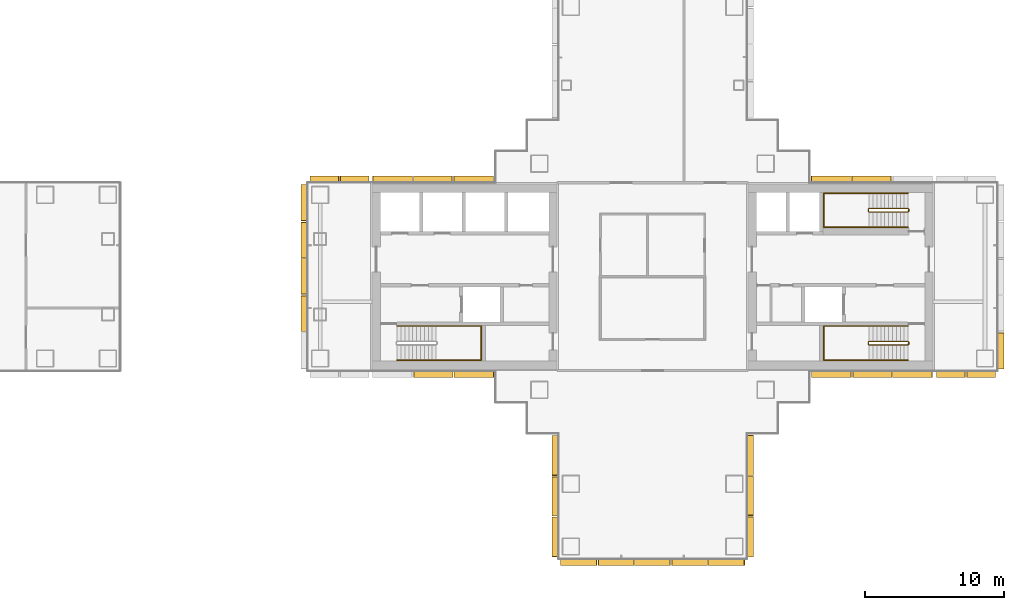
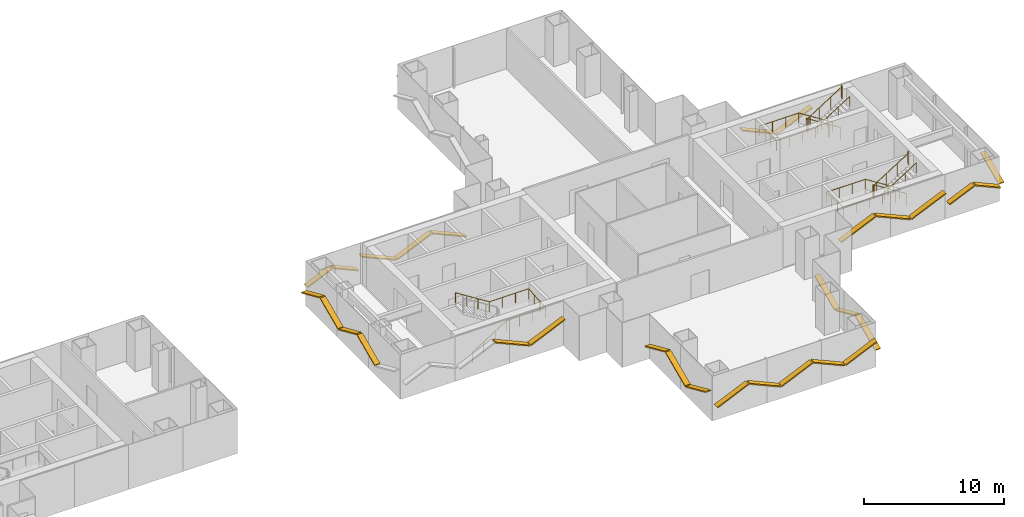
# One storey, part 17 of 19: 30 shading devices, 5 railings.
"""IFC4 building model written with IfcOpenShell, lengths in metres."""

from ifc_helpers import new_model, si_unit, direction, frame, origin, origin_2d, place, context, subcontext, project, spatial, rectangle, circle, extrude, material, material_profile, profile_set, type_object, element, save


model = new_model("IFC4")

# Units and contexts
model_context = context("Model", 3, precision=1e-05, world=origin(), true_north=direction((0.0, 1.0)))
body_context = subcontext(model_context, "Body", "Model", "MODEL_VIEW")
ifc_project = project(units=[si_unit("LENGTHUNIT", "METRE"), si_unit("AREAUNIT", "SQUARE_METRE"), si_unit("VOLUMEUNIT", "CUBIC_METRE"), si_unit("PLANEANGLEUNIT", "RADIAN"), si_unit("MASSUNIT", "GRAM", prefix="KILO")], contexts=[model_context])

# Site, building, storey
site_placement = place(None, origin())
site = spatial("IfcSite", under=ifc_project, at=site_placement, CompositionType="ELEMENT")
building_placement = place(site_placement, origin())
building = spatial("IfcBuilding", under=site, at=building_placement, Name="Shamsa Quay Exchange Towers", CompositionType="ELEMENT")
storey_placement = place(building_placement, frame((0.0, 0.0, 85.800048828125)))
storey = spatial("IfcBuildingStorey", under=building, at=storey_placement, Name="L19", CompositionType="ELEMENT", Elevation=85.800048828125)

# Shading devices
ifc_material_1 = material(Name="Aluminium EN AW-6063 T6, black anodised", Category="aluminium")
ifc_material_profile = material_profile(ifc_material_1, rectangle(XDim=0.449951171875, YDim=0.10009765625, at=origin_2d()), Name="FIN450x100")
ifc_profile_set = profile_set([ifc_material_profile], Name="Aluminium EN AW-6063 T6, black anodised")
shading_device_type = type_object("IfcShadingDeviceType", Name="FIN 450x100 BLACK ALUMINIUM", PredefinedType="USERDEFINED", material=ifc_profile_set)
shading_device_1_placement = place(storey_placement, frame((45.18798828125, -7.01904296875, 0.96826171875), z_axis=(0.913529328323, 0.0, 0.406772868187), x_axis=(0.0, 1.0, 0.0)))
element("IfcShadingDevice", 1, at=shading_device_1_placement, inside=storey, type_object=shading_device_type, Name="FIN T2 chevron rib", ObjectType="FIN", PredefinedType="USERDEFINED", context=body_context, shape_type="SweptSolid", body=[
    extrude(rectangle(XDim=0.449951171875, YDim=0.10009765625, at=origin_2d()), origin(), (0.0, 0.0, 1.0), 3.10595703125),
])
shading_device_2_placement = place(storey_placement, frame((48.125244140625, -7.01904296875, 2.220458984375), z_axis=(0.913550687431, 0.0, -0.406724896576), x_axis=(0.0, 1.0, 0.0)))
element("IfcShadingDevice", 2, at=shading_device_2_placement, inside=storey, type_object=shading_device_type, Name="FIN T2 chevron rib", ObjectType="FIN", PredefinedType="USERDEFINED", context=body_context, shape_type="SweptSolid", body=[
    extrude(rectangle(XDim=0.449951171875, YDim=0.10009765625, at=origin_2d()), origin(), (0.0, 0.0, 1.0), 3.051025390625),
])
shading_device_3_placement = place(storey_placement, frame((51.0126953125, -7.01904296875, 0.96826171875), z_axis=(0.913529328323, 0.0, 0.406772868187), x_axis=(0.0, 1.0, 0.0)))
element("IfcShadingDevice", 3, at=shading_device_3_placement, inside=storey, type_object=shading_device_type, Name="FIN T2 chevron rib", ObjectType="FIN", PredefinedType="USERDEFINED", context=body_context, shape_type="SweptSolid", body=[
    extrude(rectangle(XDim=0.449951171875, YDim=0.10009765625, at=origin_2d()), origin(), (0.0, 0.0, 1.0), 3.10595703125),
])
for number, where, z_axis, x_axis, name in (
    (4, (54.14990234375, -7.014892578125, 1.1435546875), (0.913528691757, 0.0, 0.406774297783), (0.0, 1.0, 0.0), "FIN T2 chevron rib"),
    (5, (56.300048828125, -7.014892578125, 2.056396484375), (0.913528691757, 0.0, -0.406774297783), (0.0, 1.0, 0.0), "FIN T2 chevron rib"),
):
    element("IfcShadingDevice", number, at=place(storey_placement, frame(where, z_axis=z_axis, x_axis=x_axis)), inside=storey, type_object=shading_device_type, Name=name, ObjectType="FIN", PredefinedType="USERDEFINED", context=body_context, shape_type="SweptSolid", body=[
        extrude(rectangle(XDim=0.449951171875, YDim=0.10009765625, at=origin_2d()), origin(), (0.0, 0.0, 1.0), 2.244140625),
    ])
shading_device_4_placement = place(storey_placement, frame((58.764892578125, -6.60009765625, 1.0234375), z_axis=(0.0, 0.91355925163, 0.406705659859), x_axis=(-1.0, 0.0, 0.0)))
element("IfcShadingDevice", 6, at=shading_device_4_placement, inside=storey, type_object=shading_device_type, Name="FIN T2 chevron rib", ObjectType="FIN", PredefinedType="USERDEFINED", context=body_context, shape_type="SweptSolid", body=[
    extrude(rectangle(XDim=0.449951171875, YDim=0.10009765625, at=origin_2d()), origin(), (0.0, 0.0, 1.0), 2.835205078125),
])
shading_device_5_placement = place(storey_placement, frame((50.89990234375, 7.01904296875, 2.223388671875), z_axis=(-0.913512380128, 0.0, -0.406810928262), x_axis=(0.0, -1.0, 0.0)))
element("IfcShadingDevice", 7, at=shading_device_5_placement, inside=storey, type_object=shading_device_type, Name="FIN T2 chevron rib", ObjectType="FIN", PredefinedType="USERDEFINED", context=body_context, shape_type="SweptSolid", body=[
    extrude(rectangle(XDim=0.449951171875, YDim=0.10009765625, at=origin_2d()), origin(), (0.0, 0.0, 1.0), 3.06494140625),
])
shading_device_6_placement = place(storey_placement, frame((48.0, 7.01904296875, 0.965576171875), z_axis=(-0.913562893981, 0.0, 0.406697478158), x_axis=(0.0, -1.0, 0.0)))
element("IfcShadingDevice", 8, at=shading_device_6_placement, inside=storey, type_object=shading_device_type, Name="FIN T2 chevron rib", ObjectType="FIN", PredefinedType="USERDEFINED", context=body_context, shape_type="SweptSolid", body=[
    extrude(rectangle(XDim=0.449951171875, YDim=0.10009765625, at=origin_2d()), origin(), (0.0, 0.0, 1.0), 3.119873046875),
])
shading_device_7_placement = place(storey_placement, frame((22.31201171875, 7.01904296875, 0.96826171875), z_axis=(-0.913529328323, 0.0, 0.406772868187), x_axis=(0.0, -1.0, 0.0)))
element("IfcShadingDevice", 9, at=shading_device_7_placement, inside=storey, type_object=shading_device_type, Name="FIN T2 chevron rib", ObjectType="FIN", PredefinedType="USERDEFINED", context=body_context, shape_type="SweptSolid", body=[
    extrude(rectangle(XDim=0.449951171875, YDim=0.10009765625, at=origin_2d()), origin(), (0.0, 0.0, 1.0), 3.10595703125),
])
shading_device_8_placement = place(storey_placement, frame((19.374755859375, 7.01904296875, 2.220458984375), z_axis=(-0.913550687431, 0.0, -0.406724896576), x_axis=(0.0, -1.0, 0.0)))
element("IfcShadingDevice", 10, at=shading_device_8_placement, inside=storey, type_object=shading_device_type, Name="FIN T2 chevron rib", ObjectType="FIN", PredefinedType="USERDEFINED", context=body_context, shape_type="SweptSolid", body=[
    extrude(rectangle(XDim=0.449951171875, YDim=0.10009765625, at=origin_2d()), origin(), (0.0, 0.0, 1.0), 3.051025390625),
])
shading_device_9_placement = place(storey_placement, frame((16.4873046875, 7.01904296875, 0.96826171875), z_axis=(-0.913529328323, 0.0, 0.406772868187), x_axis=(0.0, -1.0, 0.0)))
element("IfcShadingDevice", 11, at=shading_device_9_placement, inside=storey, type_object=shading_device_type, Name="FIN T2 chevron rib", ObjectType="FIN", PredefinedType="USERDEFINED", context=body_context, shape_type="SweptSolid", body=[
    extrude(rectangle(XDim=0.449951171875, YDim=0.10009765625, at=origin_2d()), origin(), (0.0, 0.0, 1.0), 3.10595703125),
])
for number, where, z_axis, x_axis, name in (
    (12, (13.35009765625, 7.014892578125, 1.1435546875), (-0.913528691757, 0.0, 0.406774297783), (0.0, -1.0, 0.0), "FIN T2 chevron rib"),
    (13, (11.199951171875, 7.014892578125, 2.056396484375), (-0.913528691757, 0.0, -0.406774297783), (0.0, -1.0, 0.0), "FIN T2 chevron rib"),
):
    element("IfcShadingDevice", number, at=place(storey_placement, frame(where, z_axis=z_axis, x_axis=x_axis)), inside=storey, type_object=shading_device_type, Name=name, ObjectType="FIN", PredefinedType="USERDEFINED", context=body_context, shape_type="SweptSolid", body=[
        extrude(rectangle(XDim=0.449951171875, YDim=0.10009765625, at=origin_2d()), origin(), (0.0, 0.0, 1.0), 2.244140625),
    ])
shading_device_10_placement = place(storey_placement, frame((8.735107421875, 6.60009765625, 1.0234375), z_axis=(0.0, -0.91355925163, 0.406705659859), x_axis=(1.0, 0.0, 0.0)))
element("IfcShadingDevice", 14, at=shading_device_10_placement, inside=storey, type_object=shading_device_type, Name="FIN T2 chevron rib", ObjectType="FIN", PredefinedType="USERDEFINED", context=body_context, shape_type="SweptSolid", body=[
    extrude(rectangle(XDim=0.449951171875, YDim=0.10009765625, at=origin_2d()), origin(), (0.0, 0.0, 1.0), 2.835205078125),
])
shading_device_11_placement = place(storey_placement, frame((8.735107421875, 3.909912109375, 2.165283203125), z_axis=(0.0, -0.913536125794, -0.406757602103), x_axis=(1.0, 0.0, 0.0)))
element("IfcShadingDevice", 15, at=shading_device_11_placement, inside=storey, type_object=shading_device_type, Name="FIN T2 chevron rib", ObjectType="FIN", PredefinedType="USERDEFINED", context=body_context, shape_type="SweptSolid", body=[
    extrude(rectangle(XDim=0.449951171875, YDim=0.10009765625, at=origin_2d()), origin(), (0.0, 0.0, 1.0), 2.7802734375),
])
shading_device_12_placement = place(storey_placement, frame((8.735107421875, 1.27001953125, 1.034423828125), z_axis=(0.0, -0.913550653139, 0.4067249736), x_axis=(1.0, 0.0, 0.0)))
element("IfcShadingDevice", 16, at=shading_device_12_placement, inside=storey, type_object=shading_device_type, Name="FIN T2 chevron rib", ObjectType="FIN", PredefinedType="USERDEFINED", context=body_context, shape_type="SweptSolid", body=[
    extrude(rectangle(XDim=0.449951171875, YDim=0.10009765625, at=origin_2d()), origin(), (0.0, 0.0, 1.0), 2.780517578125),
])
shading_device_13_placement = place(storey_placement, frame((8.735107421875, -1.3701171875, 2.165283203125), z_axis=(0.0, -0.913536125794, -0.406757602103), x_axis=(1.0, 0.0, 0.0)))
element("IfcShadingDevice", 17, at=shading_device_13_placement, inside=storey, type_object=shading_device_type, Name="FIN T2 chevron rib", ObjectType="FIN", PredefinedType="USERDEFINED", context=body_context, shape_type="SweptSolid", body=[
    extrude(rectangle(XDim=0.449951171875, YDim=0.10009765625, at=origin_2d()), origin(), (0.0, 0.0, 1.0), 2.7802734375),
])
shading_device_14_placement = place(storey_placement, frame((16.60009765625, -7.01904296875, 2.223388671875), z_axis=(0.913512380128, 0.0, -0.406810928262), x_axis=(0.0, 1.0, 0.0)))
element("IfcShadingDevice", 18, at=shading_device_14_placement, inside=storey, type_object=shading_device_type, Name="FIN T2 chevron rib", ObjectType="FIN", PredefinedType="USERDEFINED", context=body_context, shape_type="SweptSolid", body=[
    extrude(rectangle(XDim=0.449951171875, YDim=0.10009765625, at=origin_2d()), origin(), (0.0, 0.0, 1.0), 3.06494140625),
])
shading_device_15_placement = place(storey_placement, frame((19.5, -7.01904296875, 0.965576171875), z_axis=(0.913562893981, 0.0, 0.406697478158), x_axis=(0.0, 1.0, 0.0)))
element("IfcShadingDevice", 19, at=shading_device_15_placement, inside=storey, type_object=shading_device_type, Name="FIN T2 chevron rib", ObjectType="FIN", PredefinedType="USERDEFINED", context=body_context, shape_type="SweptSolid", body=[
    extrude(rectangle(XDim=0.449951171875, YDim=0.10009765625, at=origin_2d()), origin(), (0.0, 0.0, 1.0), 3.119873046875),
])
shading_device_16_placement = place(storey_placement, frame((26.735107421875, -11.43798828125, 0.96826171875), z_axis=(0.0, -0.913529328323, 0.406772868187), x_axis=(1.0, 0.0, 0.0)))
element("IfcShadingDevice", 20, at=shading_device_16_placement, inside=storey, type_object=shading_device_type, Name="FIN T2 chevron rib", ObjectType="FIN", PredefinedType="USERDEFINED", context=body_context, shape_type="SweptSolid", body=[
    extrude(rectangle(XDim=0.449951171875, YDim=0.10009765625, at=origin_2d()), origin(), (0.0, 0.0, 1.0), 3.10595703125),
])
shading_device_17_placement = place(storey_placement, frame((26.735107421875, -14.375244140625, 2.220458984375), z_axis=(0.0, -0.913550687431, -0.406724896576), x_axis=(1.0, 0.0, 0.0)))
element("IfcShadingDevice", 21, at=shading_device_17_placement, inside=storey, type_object=shading_device_type, Name="FIN T2 chevron rib", ObjectType="FIN", PredefinedType="USERDEFINED", context=body_context, shape_type="SweptSolid", body=[
    extrude(rectangle(XDim=0.449951171875, YDim=0.10009765625, at=origin_2d()), origin(), (0.0, 0.0, 1.0), 3.051025390625),
])
shading_device_18_placement = place(storey_placement, frame((26.735107421875, -17.2626953125, 0.96826171875), z_axis=(0.0, -0.913529328323, 0.406772868187), x_axis=(1.0, 0.0, 0.0)))
element("IfcShadingDevice", 22, at=shading_device_18_placement, inside=storey, type_object=shading_device_type, Name="FIN T2 chevron rib", ObjectType="FIN", PredefinedType="USERDEFINED", context=body_context, shape_type="SweptSolid", body=[
    extrude(rectangle(XDim=0.449951171875, YDim=0.10009765625, at=origin_2d()), origin(), (0.0, 0.0, 1.0), 3.10595703125),
])
shading_device_19_placement = place(storey_placement, frame((27.14990234375, -20.514892578125, 1.0234375), z_axis=(0.91355925163, 0.0, 0.406705659859), x_axis=(0.0, 1.0, 0.0)))
element("IfcShadingDevice", 23, at=shading_device_19_placement, inside=storey, type_object=shading_device_type, Name="FIN T2 chevron rib", ObjectType="FIN", PredefinedType="USERDEFINED", context=body_context, shape_type="SweptSolid", body=[
    extrude(rectangle(XDim=0.449951171875, YDim=0.10009765625, at=origin_2d()), origin(), (0.0, 0.0, 1.0), 2.835205078125),
])
shading_device_20_placement = place(storey_placement, frame((29.840087890625, -20.514892578125, 2.165283203125), z_axis=(0.913536125794, 0.0, -0.406757602103), x_axis=(0.0, 1.0, 0.0)))
element("IfcShadingDevice", 24, at=shading_device_20_placement, inside=storey, type_object=shading_device_type, Name="FIN T2 chevron rib", ObjectType="FIN", PredefinedType="USERDEFINED", context=body_context, shape_type="SweptSolid", body=[
    extrude(rectangle(XDim=0.449951171875, YDim=0.10009765625, at=origin_2d()), origin(), (0.0, 0.0, 1.0), 2.7802734375),
])
shading_device_21_placement = place(storey_placement, frame((32.47998046875, -20.514892578125, 1.034423828125), z_axis=(0.913550653139, 0.0, 0.4067249736), x_axis=(0.0, 1.0, 0.0)))
element("IfcShadingDevice", 25, at=shading_device_21_placement, inside=storey, type_object=shading_device_type, Name="FIN T2 chevron rib", ObjectType="FIN", PredefinedType="USERDEFINED", context=body_context, shape_type="SweptSolid", body=[
    extrude(rectangle(XDim=0.449951171875, YDim=0.10009765625, at=origin_2d()), origin(), (0.0, 0.0, 1.0), 2.780517578125),
])
shading_device_22_placement = place(storey_placement, frame((35.1201171875, -20.514892578125, 2.165283203125), z_axis=(0.913536125794, 0.0, -0.406757602103), x_axis=(0.0, 1.0, 0.0)))
element("IfcShadingDevice", 26, at=shading_device_22_placement, inside=storey, type_object=shading_device_type, Name="FIN T2 chevron rib", ObjectType="FIN", PredefinedType="USERDEFINED", context=body_context, shape_type="SweptSolid", body=[
    extrude(rectangle(XDim=0.449951171875, YDim=0.10009765625, at=origin_2d()), origin(), (0.0, 0.0, 1.0), 2.7802734375),
])
shading_device_23_placement = place(storey_placement, frame((37.760009765625, -20.514892578125, 1.0234375), z_axis=(0.91355925163, 0.0, 0.406705659859), x_axis=(0.0, 1.0, 0.0)))
element("IfcShadingDevice", 27, at=shading_device_23_placement, inside=storey, type_object=shading_device_type, Name="FIN T2 chevron rib", ObjectType="FIN", PredefinedType="USERDEFINED", context=body_context, shape_type="SweptSolid", body=[
    extrude(rectangle(XDim=0.449951171875, YDim=0.10009765625, at=origin_2d()), origin(), (0.0, 0.0, 1.0), 2.835205078125),
])
shading_device_24_placement = place(storey_placement, frame((40.764892578125, -20.10009765625, 0.965576171875), z_axis=(0.0, 0.913562893981, 0.406697478158), x_axis=(-1.0, 0.0, 0.0)))
element("IfcShadingDevice", 28, at=shading_device_24_placement, inside=storey, type_object=shading_device_type, Name="FIN T2 chevron rib", ObjectType="FIN", PredefinedType="USERDEFINED", context=body_context, shape_type="SweptSolid", body=[
    extrude(rectangle(XDim=0.449951171875, YDim=0.10009765625, at=origin_2d()), origin(), (0.0, 0.0, 1.0), 3.119873046875),
])
shading_device_25_placement = place(storey_placement, frame((40.764892578125, -17.14990234375, 2.223388671875), z_axis=(0.0, 0.913512380128, -0.406810928262), x_axis=(-1.0, 0.0, 0.0)))
element("IfcShadingDevice", 29, at=shading_device_25_placement, inside=storey, type_object=shading_device_type, Name="FIN T2 chevron rib", ObjectType="FIN", PredefinedType="USERDEFINED", context=body_context, shape_type="SweptSolid", body=[
    extrude(rectangle(XDim=0.449951171875, YDim=0.10009765625, at=origin_2d()), origin(), (0.0, 0.0, 1.0), 3.06494140625),
])
shading_device_26_placement = place(storey_placement, frame((40.764892578125, -14.25, 0.965576171875), z_axis=(0.0, 0.913562893981, 0.406697478158), x_axis=(-1.0, 0.0, 0.0)))
element("IfcShadingDevice", 30, at=shading_device_26_placement, inside=storey, type_object=shading_device_type, Name="FIN T2 chevron rib", ObjectType="FIN", PredefinedType="USERDEFINED", context=body_context, shape_type="SweptSolid", body=[
    extrude(rectangle(XDim=0.449951171875, YDim=0.10009765625, at=origin_2d()), origin(), (0.0, 0.0, 1.0), 3.119873046875),
])

# Railings
ifc_material_2 = material(Name="Stainless steel", Category="steel")
railing_type_1 = type_object("IfcRailingType", Name="STAIR GUARD 1100", PredefinedType="GUARDRAIL", material=ifc_material_2)
railing_1_placement = place(storey_placement, frame((52.10009765625, -4.64990234375, 0.17724609375)))
element("IfcRailing", 31, at=railing_1_placement, inside=storey, type_object=railing_type_1, Name="L19 ST5 stair guard 1", PredefinedType="GUARDRAIL", context=body_context, shape_type="SweptSolid", body=[
    extrude(circle(Radius=0.02392578125, at=origin_2d()), frame((0.0, 0.0, 1.076171875), z_axis=(-0.844908973607, 0.0, 0.534910110503), x_axis=(0.0, -1.0, 0.0)), (0.0, 0.0, 1.0), 3.31396484375),
    extrude(circle(Radius=0.02392578125, at=origin_2d()), frame((-2.800048828125, 0.0, 2.8486328125), z_axis=(-0.707106781187, -0.707106781187, 0.0), x_axis=(0.707106781187, -0.707106781187, 0.0)), (0.0, 0.0, 1.0), 0.07080078125),
    extrude(circle(Radius=0.02392578125, at=origin_2d()), frame((-2.85009765625, -0.050048828125, 2.8486328125), z_axis=(0.0, -1.0, 0.0), x_axis=(1.0, 0.0, 0.0)), (0.0, 0.0, 1.0), 0.150146484375),
    extrude(circle(Radius=0.02392578125, at=origin_2d()), frame((-2.85009765625, -0.2001953125, 2.8486328125), z_axis=(0.262321481514, -0.261041864531, 0.929001929653), x_axis=(0.705375805398, 0.708833529934, 0.0)), (0.0, 0.0, 1.0), 0.190673828125),
    extrude(circle(Radius=0.02392578125, at=origin_2d()), frame((-2.800048828125, -0.25, 3.02587890625), z_axis=(0.844908973607, 0.0, 0.534910110503), x_axis=(0.0, 1.0, 0.0)), (0.0, 0.0, 1.0), 3.31396484375),
    extrude(circle(Radius=0.02392578125, at=origin_2d()), frame((0.0, -0.25, 4.798828125), z_axis=(0.241699205484, 0.970351222016, 0.0), x_axis=(-0.970351222016, 0.241699205484, 0.0)), (0.0, 0.0, 1.0), 0.2060546875),
    extrude(circle(Radius=0.02392578125, at=origin_2d()), frame((0.0498046875, -0.050048828125, 4.798828125), z_axis=(0.0, -1.0, 0.0), x_axis=(1.0, 0.0, 0.0)), (0.0, 0.0, 1.0), 0.150146484375),
    extrude(circle(Radius=0.02099609375, at=origin_2d()), origin(), (0.0, 0.0, 1.0), 1.052001953125),
    extrude(circle(Radius=0.02099609375, at=origin_2d()), frame((-0.933349609375, 0.0, 0.5908203125)), (0.0, 0.0, 1.0), 1.052001953125),
    extrude(circle(Radius=0.02099609375, at=origin_2d()), frame((-1.86669921875, 0.0, 1.181884765625)), (0.0, 0.0, 1.0), 1.052001953125),
    extrude(circle(Radius=0.02099609375, at=origin_2d()), frame((-2.800048828125, 0.0, 1.772705078125)), (0.0, 0.0, 1.0), 1.052001953125),
    extrude(circle(Radius=0.02099609375, at=origin_2d()), frame((-2.85009765625, -0.050048828125, 1.772705078125)), (0.0, 0.0, 1.0), 1.052001953125),
    extrude(circle(Radius=0.02099609375, at=origin_2d()), frame((-2.85009765625, -0.2001953125, 1.772705078125)), (0.0, 0.0, 1.0), 1.052001953125),
    extrude(circle(Radius=0.02099609375, at=origin_2d()), frame((-2.800048828125, -0.25, 1.949951171875)), (0.0, 0.0, 1.0), 1.052001953125),
    extrude(circle(Radius=0.02099609375, at=origin_2d()), frame((-1.86669921875, -0.25, 2.540771484375)), (0.0, 0.0, 1.0), 1.052001953125),
    extrude(circle(Radius=0.02099609375, at=origin_2d()), frame((-0.933349609375, -0.25, 3.1318359375)), (0.0, 0.0, 1.0), 1.052001953125),
    extrude(circle(Radius=0.02099609375, at=origin_2d()), frame((0.0, -0.25, 3.72265625)), (0.0, 0.0, 1.0), 1.052001953125),
    extrude(circle(Radius=0.02099609375, at=origin_2d()), frame((0.0498046875, -0.050048828125, 3.72265625)), (0.0, 0.0, 1.0), 1.052001953125),
    extrude(circle(Radius=0.02099609375, at=origin_2d()), frame((0.0498046875, -0.2001953125, 3.72265625)), (0.0, 0.0, 1.0), 1.052001953125),
])
railing_2_placement = place(storey_placement, frame((52.10009765625, 4.89990234375, 0.17724609375)))
element("IfcRailing", 32, at=railing_2_placement, inside=storey, type_object=railing_type_1, Name="L19 ST6 stair guard 1", PredefinedType="GUARDRAIL", context=body_context, shape_type="SweptSolid", body=[
    extrude(circle(Radius=0.02392578125, at=origin_2d()), frame((0.0, 0.0, 1.076171875), z_axis=(-0.844908973607, 0.0, 0.534910110503), x_axis=(0.0, -1.0, 0.0)), (0.0, 0.0, 1.0), 3.31396484375),
    extrude(circle(Radius=0.02392578125, at=origin_2d()), frame((-2.800048828125, 0.0, 2.8486328125), z_axis=(-0.708833529934, -0.705375805398, 0.0), x_axis=(0.705375805398, -0.708833529934, 0.0)), (0.0, 0.0, 1.0), 0.070556640625),
    extrude(circle(Radius=0.02392578125, at=origin_2d()), frame((-2.85009765625, -0.0498046875, 2.8486328125), z_axis=(0.0, -1.0, 0.0), x_axis=(1.0, 0.0, 0.0)), (0.0, 0.0, 1.0), 0.150146484375),
    extrude(circle(Radius=0.02392578125, at=origin_2d()), frame((-2.85009765625, -0.199951171875, 2.8486328125), z_axis=(0.262233686654, -0.262233686654, 0.928691007369), x_axis=(0.707106781187, 0.707106781187, 0.0)), (0.0, 0.0, 1.0), 0.19091796875),
    extrude(circle(Radius=0.02392578125, at=origin_2d()), frame((-2.800048828125, -0.25, 3.02587890625), z_axis=(0.844908973607, 0.0, 0.534910110503), x_axis=(0.0, 1.0, 0.0)), (0.0, 0.0, 1.0), 3.31396484375),
    extrude(circle(Radius=0.02392578125, at=origin_2d()), frame((0.0, -0.25, 4.798828125), z_axis=(0.24142163986, 0.970420317083, 0.0), x_axis=(-0.970420317083, 0.24142163986, 0.0)), (0.0, 0.0, 1.0), 0.206298828125),
    extrude(circle(Radius=0.02392578125, at=origin_2d()), frame((0.0498046875, -0.0498046875, 4.798828125), z_axis=(0.0, -1.0, 0.0), x_axis=(1.0, 0.0, 0.0)), (0.0, 0.0, 1.0), 0.150146484375),
    extrude(circle(Radius=0.02099609375, at=origin_2d()), origin(), (0.0, 0.0, 1.0), 1.052001953125),
    extrude(circle(Radius=0.02099609375, at=origin_2d()), frame((-0.933349609375, 0.0, 0.5908203125)), (0.0, 0.0, 1.0), 1.052001953125),
    extrude(circle(Radius=0.02099609375, at=origin_2d()), frame((-1.86669921875, 0.0, 1.181884765625)), (0.0, 0.0, 1.0), 1.052001953125),
    extrude(circle(Radius=0.02099609375, at=origin_2d()), frame((-2.800048828125, 0.0, 1.772705078125)), (0.0, 0.0, 1.0), 1.052001953125),
    extrude(circle(Radius=0.02099609375, at=origin_2d()), frame((-2.85009765625, -0.0498046875, 1.772705078125)), (0.0, 0.0, 1.0), 1.052001953125),
    extrude(circle(Radius=0.02099609375, at=origin_2d()), frame((-2.85009765625, -0.199951171875, 1.772705078125)), (0.0, 0.0, 1.0), 1.052001953125),
    extrude(circle(Radius=0.02099609375, at=origin_2d()), frame((-2.800048828125, -0.25, 1.949951171875)), (0.0, 0.0, 1.0), 1.052001953125),
    extrude(circle(Radius=0.02099609375, at=origin_2d()), frame((-1.86669921875, -0.25, 2.540771484375)), (0.0, 0.0, 1.0), 1.052001953125),
    extrude(circle(Radius=0.02099609375, at=origin_2d()), frame((-0.933349609375, -0.25, 3.1318359375)), (0.0, 0.0, 1.0), 1.052001953125),
    extrude(circle(Radius=0.02099609375, at=origin_2d()), frame((0.0, -0.25, 3.72265625)), (0.0, 0.0, 1.0), 1.052001953125),
    extrude(circle(Radius=0.02099609375, at=origin_2d()), frame((0.0498046875, -0.0498046875, 3.72265625)), (0.0, 0.0, 1.0), 1.052001953125),
    extrude(circle(Radius=0.02099609375, at=origin_2d()), frame((0.0498046875, -0.199951171875, 3.72265625)), (0.0, 0.0, 1.0), 1.052001953125),
])
railing_type_2 = type_object("IfcRailingType", Name="STAIR HANDRAIL 900", PredefinedType="HANDRAIL", material=ifc_material_2)
railing_3_placement = place(storey_placement, frame((15.39990234375, -6.0, 0.17724609375)))
element("IfcRailing", 33, at=railing_3_placement, inside=storey, type_object=railing_type_2, Name="L19 ST4 stair handrail 1", PredefinedType="HANDRAIL", context=body_context, shape_type="SweptSolid", body=[
    extrude(circle(Radius=0.02392578125, at=origin_2d()), frame((0.0, 0.0, 0.8759765625), z_axis=(0.844908973607, 0.0, 0.534910110503), x_axis=(0.0, 1.0, 0.0)), (0.0, 0.0, 1.0), 3.31396484375),
    extrude(circle(Radius=0.02392578125, at=origin_2d()), frame((2.800048828125, 0.0, 2.6484375), z_axis=(1.0, 0.0, 0.0), x_axis=(0.0, 1.0, 0.0)), (0.0, 0.0, 1.0), 3.25),
    extrude(circle(Radius=0.02392578125, at=origin_2d()), frame((6.050048828125, 0.0, 2.6484375), z_axis=(0.0, 0.997393199914, 0.07215819264), x_axis=(-1.0, 0.0, 0.0)), (0.0, 0.0, 1.0), 2.456298828125),
    extrude(circle(Radius=0.02392578125, at=origin_2d()), frame((6.050048828125, 2.449951171875, 2.82568359375), z_axis=(-1.0, 0.0, 0.0), x_axis=(0.0, -1.0, 0.0)), (0.0, 0.0, 1.0), 3.25),
    extrude(circle(Radius=0.02392578125, at=origin_2d()), frame((2.800048828125, 2.449951171875, 2.82568359375), z_axis=(-0.844908973607, 0.0, 0.534910110503), x_axis=(0.0, -1.0, 0.0)), (0.0, 0.0, 1.0), 3.31396484375),
    extrude(circle(Radius=0.02099609375, at=origin_2d()), origin(), (0.0, 0.0, 1.0), 0.851806640625),
    extrude(circle(Radius=0.02099609375, at=origin_2d()), frame((0.933349609375, 0.0, 0.5908203125)), (0.0, 0.0, 1.0), 0.851806640625),
    extrude(circle(Radius=0.02099609375, at=origin_2d()), frame((1.86669921875, 0.0, 1.181884765625)), (0.0, 0.0, 1.0), 0.851806640625),
    extrude(circle(Radius=0.02099609375, at=origin_2d()), frame((2.800048828125, 0.0, 1.772705078125)), (0.0, 0.0, 1.0), 0.851806640625),
    extrude(circle(Radius=0.02099609375, at=origin_2d()), frame((3.88330078125, 0.0, 1.772705078125)), (0.0, 0.0, 1.0), 0.851806640625),
    extrude(circle(Radius=0.02099609375, at=origin_2d()), frame((4.966796875, 0.0, 1.772705078125)), (0.0, 0.0, 1.0), 0.851806640625),
    extrude(circle(Radius=0.02099609375, at=origin_2d()), frame((6.050048828125, 0.0, 1.772705078125)), (0.0, 0.0, 1.0), 0.851806640625),
    extrude(circle(Radius=0.02099609375, at=origin_2d()), frame((6.050048828125, 0.816650390625, 1.831787109375)), (0.0, 0.0, 1.0), 0.851806640625),
    extrude(circle(Radius=0.02099609375, at=origin_2d()), frame((6.050048828125, 1.63330078125, 1.890869140625)), (0.0, 0.0, 1.0), 0.851806640625),
    extrude(circle(Radius=0.02099609375, at=origin_2d()), frame((6.050048828125, 2.449951171875, 1.949951171875)), (0.0, 0.0, 1.0), 0.851806640625),
    extrude(circle(Radius=0.02099609375, at=origin_2d()), frame((4.966796875, 2.449951171875, 1.949951171875)), (0.0, 0.0, 1.0), 0.851806640625),
    extrude(circle(Radius=0.02099609375, at=origin_2d()), frame((3.88330078125, 2.449951171875, 1.949951171875)), (0.0, 0.0, 1.0), 0.851806640625),
    extrude(circle(Radius=0.02099609375, at=origin_2d()), frame((2.800048828125, 2.449951171875, 1.949951171875)), (0.0, 0.0, 1.0), 0.851806640625),
    extrude(circle(Radius=0.02099609375, at=origin_2d()), frame((1.86669921875, 2.449951171875, 2.540771484375)), (0.0, 0.0, 1.0), 0.851806640625),
    extrude(circle(Radius=0.02099609375, at=origin_2d()), frame((0.933349609375, 2.449951171875, 3.1318359375)), (0.0, 0.0, 1.0), 0.851806640625),
    extrude(circle(Radius=0.02099609375, at=origin_2d()), frame((0.0, 2.449951171875, 3.72265625)), (0.0, 0.0, 1.0), 0.851806640625),
])
railing_4_placement = place(storey_placement, frame((52.10009765625, -3.550048828125, 0.17724609375)))
element("IfcRailing", 34, at=railing_4_placement, inside=storey, type_object=railing_type_2, Name="L19 ST5 stair handrail 1", PredefinedType="HANDRAIL", context=body_context, shape_type="SweptSolid", body=[
    extrude(circle(Radius=0.02392578125, at=origin_2d()), frame((0.0, 0.0, 0.8759765625), z_axis=(-0.844908973607, 0.0, 0.534910110503), x_axis=(0.0, -1.0, 0.0)), (0.0, 0.0, 1.0), 3.31396484375),
    extrude(circle(Radius=0.02392578125, at=origin_2d()), frame((-2.800048828125, 0.0, 2.6484375), z_axis=(-1.0, 0.0, 0.0), x_axis=(0.0, -1.0, 0.0)), (0.0, 0.0, 1.0), 3.25),
    extrude(circle(Radius=0.02392578125, at=origin_2d()), frame((-6.050048828125, 0.0, 2.6484375), z_axis=(0.0, -0.997393199914, 0.07215819264), x_axis=(1.0, 0.0, 0.0)), (0.0, 0.0, 1.0), 2.456298828125),
    extrude(circle(Radius=0.02392578125, at=origin_2d()), frame((-6.050048828125, -2.449951171875, 2.82568359375), z_axis=(1.0, 0.0, 0.0), x_axis=(0.0, 1.0, 0.0)), (0.0, 0.0, 1.0), 3.25),
    extrude(circle(Radius=0.02392578125, at=origin_2d()), frame((-2.800048828125, -2.449951171875, 2.82568359375), z_axis=(0.844908973607, 0.0, 0.534910110503), x_axis=(0.0, 1.0, 0.0)), (0.0, 0.0, 1.0), 3.31396484375),
    extrude(circle(Radius=0.02099609375, at=origin_2d()), origin(), (0.0, 0.0, 1.0), 0.851806640625),
    extrude(circle(Radius=0.02099609375, at=origin_2d()), frame((-0.933349609375, 0.0, 0.5908203125)), (0.0, 0.0, 1.0), 0.851806640625),
    extrude(circle(Radius=0.02099609375, at=origin_2d()), frame((-1.86669921875, 0.0, 1.181884765625)), (0.0, 0.0, 1.0), 0.851806640625),
    extrude(circle(Radius=0.02099609375, at=origin_2d()), frame((-2.800048828125, 0.0, 1.772705078125)), (0.0, 0.0, 1.0), 0.851806640625),
    extrude(circle(Radius=0.02099609375, at=origin_2d()), frame((-3.88330078125, 0.0, 1.772705078125)), (0.0, 0.0, 1.0), 0.851806640625),
    extrude(circle(Radius=0.02099609375, at=origin_2d()), frame((-4.966796875, 0.0, 1.772705078125)), (0.0, 0.0, 1.0), 0.851806640625),
    extrude(circle(Radius=0.02099609375, at=origin_2d()), frame((-6.050048828125, 0.0, 1.772705078125)), (0.0, 0.0, 1.0), 0.851806640625),
    extrude(circle(Radius=0.02099609375, at=origin_2d()), frame((-6.050048828125, -0.816650390625, 1.831787109375)), (0.0, 0.0, 1.0), 0.851806640625),
    extrude(circle(Radius=0.02099609375, at=origin_2d()), frame((-6.050048828125, -1.63330078125, 1.890869140625)), (0.0, 0.0, 1.0), 0.851806640625),
    extrude(circle(Radius=0.02099609375, at=origin_2d()), frame((-6.050048828125, -2.449951171875, 1.949951171875)), (0.0, 0.0, 1.0), 0.851806640625),
    extrude(circle(Radius=0.02099609375, at=origin_2d()), frame((-4.966796875, -2.449951171875, 1.949951171875)), (0.0, 0.0, 1.0), 0.851806640625),
    extrude(circle(Radius=0.02099609375, at=origin_2d()), frame((-3.88330078125, -2.449951171875, 1.949951171875)), (0.0, 0.0, 1.0), 0.851806640625),
    extrude(circle(Radius=0.02099609375, at=origin_2d()), frame((-2.800048828125, -2.449951171875, 1.949951171875)), (0.0, 0.0, 1.0), 0.851806640625),
    extrude(circle(Radius=0.02099609375, at=origin_2d()), frame((-1.86669921875, -2.449951171875, 2.540771484375)), (0.0, 0.0, 1.0), 0.851806640625),
    extrude(circle(Radius=0.02099609375, at=origin_2d()), frame((-0.933349609375, -2.449951171875, 3.1318359375)), (0.0, 0.0, 1.0), 0.851806640625),
    extrude(circle(Radius=0.02099609375, at=origin_2d()), frame((0.0, -2.449951171875, 3.72265625)), (0.0, 0.0, 1.0), 0.851806640625),
])
railing_5_placement = place(storey_placement, frame((52.10009765625, 6.0, 0.17724609375)))
element("IfcRailing", 35, at=railing_5_placement, inside=storey, type_object=railing_type_2, Name="L19 ST6 stair handrail 1", PredefinedType="HANDRAIL", context=body_context, shape_type="SweptSolid", body=[
    extrude(circle(Radius=0.02392578125, at=origin_2d()), frame((0.0, 0.0, 0.8759765625), z_axis=(-0.844908973607, 0.0, 0.534910110503), x_axis=(0.0, -1.0, 0.0)), (0.0, 0.0, 1.0), 3.31396484375),
    extrude(circle(Radius=0.02392578125, at=origin_2d()), frame((-2.800048828125, 0.0, 2.6484375), z_axis=(-1.0, 0.0, 0.0), x_axis=(0.0, -1.0, 0.0)), (0.0, 0.0, 1.0), 3.25),
    extrude(circle(Radius=0.02392578125, at=origin_2d()), frame((-6.050048828125, 0.0, 2.6484375), z_axis=(0.0, -0.997393199914, 0.07215819264), x_axis=(1.0, 0.0, 0.0)), (0.0, 0.0, 1.0), 2.456298828125),
    extrude(circle(Radius=0.02392578125, at=origin_2d()), frame((-6.050048828125, -2.449951171875, 2.82568359375), z_axis=(1.0, 0.0, 0.0), x_axis=(0.0, 1.0, 0.0)), (0.0, 0.0, 1.0), 3.25),
    extrude(circle(Radius=0.02392578125, at=origin_2d()), frame((-2.800048828125, -2.449951171875, 2.82568359375), z_axis=(0.844908973607, 0.0, 0.534910110503), x_axis=(0.0, 1.0, 0.0)), (0.0, 0.0, 1.0), 3.31396484375),
    extrude(circle(Radius=0.02099609375, at=origin_2d()), origin(), (0.0, 0.0, 1.0), 0.851806640625),
    extrude(circle(Radius=0.02099609375, at=origin_2d()), frame((-0.933349609375, 0.0, 0.5908203125)), (0.0, 0.0, 1.0), 0.851806640625),
    extrude(circle(Radius=0.02099609375, at=origin_2d()), frame((-1.86669921875, 0.0, 1.181884765625)), (0.0, 0.0, 1.0), 0.851806640625),
    extrude(circle(Radius=0.02099609375, at=origin_2d()), frame((-2.800048828125, 0.0, 1.772705078125)), (0.0, 0.0, 1.0), 0.851806640625),
    extrude(circle(Radius=0.02099609375, at=origin_2d()), frame((-3.88330078125, 0.0, 1.772705078125)), (0.0, 0.0, 1.0), 0.851806640625),
    extrude(circle(Radius=0.02099609375, at=origin_2d()), frame((-4.966796875, 0.0, 1.772705078125)), (0.0, 0.0, 1.0), 0.851806640625),
    extrude(circle(Radius=0.02099609375, at=origin_2d()), frame((-6.050048828125, 0.0, 1.772705078125)), (0.0, 0.0, 1.0), 0.851806640625),
    extrude(circle(Radius=0.02099609375, at=origin_2d()), frame((-6.050048828125, -0.816650390625, 1.831787109375)), (0.0, 0.0, 1.0), 0.851806640625),
    extrude(circle(Radius=0.02099609375, at=origin_2d()), frame((-6.050048828125, -1.63330078125, 1.890869140625)), (0.0, 0.0, 1.0), 0.851806640625),
    extrude(circle(Radius=0.02099609375, at=origin_2d()), frame((-6.050048828125, -2.449951171875, 1.949951171875)), (0.0, 0.0, 1.0), 0.851806640625),
    extrude(circle(Radius=0.02099609375, at=origin_2d()), frame((-4.966796875, -2.449951171875, 1.949951171875)), (0.0, 0.0, 1.0), 0.851806640625),
    extrude(circle(Radius=0.02099609375, at=origin_2d()), frame((-3.88330078125, -2.449951171875, 1.949951171875)), (0.0, 0.0, 1.0), 0.851806640625),
    extrude(circle(Radius=0.02099609375, at=origin_2d()), frame((-2.800048828125, -2.449951171875, 1.949951171875)), (0.0, 0.0, 1.0), 0.851806640625),
    extrude(circle(Radius=0.02099609375, at=origin_2d()), frame((-1.86669921875, -2.449951171875, 2.540771484375)), (0.0, 0.0, 1.0), 0.851806640625),
    extrude(circle(Radius=0.02099609375, at=origin_2d()), frame((-0.933349609375, -2.449951171875, 3.1318359375)), (0.0, 0.0, 1.0), 0.851806640625),
    extrude(circle(Radius=0.02099609375, at=origin_2d()), frame((0.0, -2.449951171875, 3.72265625)), (0.0, 0.0, 1.0), 0.851806640625),
])

save(model, "model.ifc")
